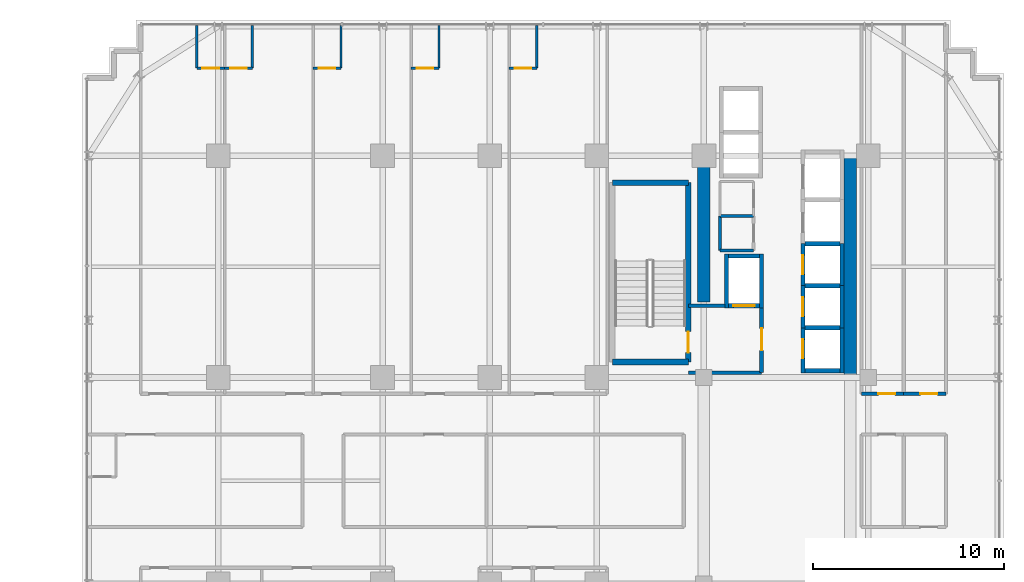
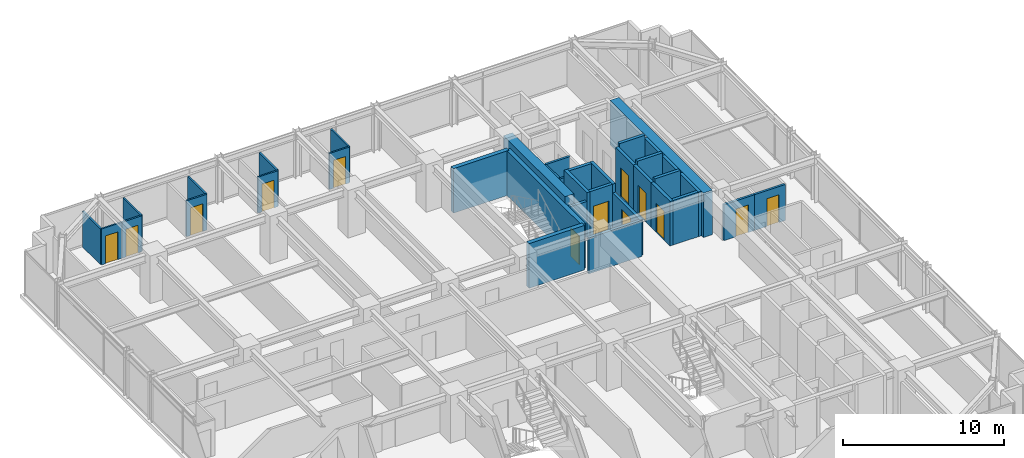
# One storey, part 27 of 31: 37 walls, 13 doors, 13 openings.
"""IFC4 building model written with IfcOpenShell, lengths in metres."""

from ifc_helpers import new_model, si_unit, direction, frame, frame_2d, origin, place, context, subcontext, project, spatial, rectangle, extrude, source, transform, mapped, material, layer, layer_set, type_object, element, fill, save


model = new_model("IFC4")

# Units and contexts
model_context = context("Model", 3, precision=1e-05, world=origin(), true_north=direction((0.0, 1.0)))
body_context = subcontext(model_context, "Body", "Model", "MODEL_VIEW")
ifc_project = project(units=[si_unit("LENGTHUNIT", "METRE"), si_unit("AREAUNIT", "SQUARE_METRE"), si_unit("VOLUMEUNIT", "CUBIC_METRE"), si_unit("PLANEANGLEUNIT", "RADIAN"), si_unit("MASSUNIT", "GRAM", prefix="KILO")], contexts=[model_context])

# Site, building, storey
site_placement = place(None, origin())
site = spatial("IfcSite", under=ifc_project, at=site_placement, CompositionType="ELEMENT")
building_placement = place(site_placement, origin())
building = spatial("IfcBuilding", under=site, at=building_placement, Name="Nahalor Promenade Grand Hotel", CompositionType="ELEMENT")
storey_placement = place(building_placement, frame((0.0, 0.0, 95.60009765625)))
storey = spatial("IfcBuildingStorey", under=building, at=storey_placement, Name="L23", CompositionType="ELEMENT", Elevation=95.60009765625)

# Walls
ifc_material_1 = material(Name="Concrete B-60 (C50/60)", Category="concrete")
ifc_layer_1 = layer(ifc_material_1, 0.64990234375)
ifc_layer_set_1 = layer_set([ifc_layer_1], Name="Concrete B-60 (C50/60)")
wall_type_1 = type_object("IfcWallType", Name="Wall-CoreShear-650", PredefinedType="SHEAR", material=ifc_layer_set_1)
shared_shape_1 = source(origin(), body_context, "Body", "SweptSolid", [
    extrude(rectangle(XDim=7.64990234375, YDim=0.64990234375, at=frame_2d((3.824951171875, 0.0))), origin(), (0.0, 0.0, 1.0), 3.3798828125),
])
wall_1_placement = place(storey_placement, frame((8.39990234375, 9.35009765625, 0.0), z_axis=(0.0, 0.0, 1.0), x_axis=(0.0, 1.0, 0.0)))
element("IfcWall", 1, at=wall_1_placement, inside=storey, type_object=wall_type_1, Name="CWALL-L23-NW", PredefinedType="SHEAR", context=body_context, shape_type="MappedRepresentation", body=[
    mapped(shared_shape_1, transform((0.0, 0.0, 0.0), scale=1.0)),
])
shared_shape_2 = source(origin(), body_context, "Body", "SweptSolid", [
    extrude(rectangle(XDim=11.60009765625, YDim=0.64990234375, at=frame_2d((5.800048828125, 0.0))), origin(), (0.0, 0.0, 1.0), 3.3798828125),
])
wall_2_placement = place(storey_placement, frame((16.050048828125, 5.39990234375, 0.0), z_axis=(0.0, 0.0, 1.0), x_axis=(0.0, 1.0, 0.0)))
element("IfcWall", 2, at=wall_2_placement, inside=storey, type_object=wall_type_1, Name="CWALL-L23-NE", PredefinedType="SHEAR", context=body_context, shape_type="MappedRepresentation", body=[
    mapped(shared_shape_2, transform((0.0, 0.0, 0.0), scale=1.0)),
])
ifc_material_2 = material(Name="Concrete B-50 (C40/50)", Category="concrete")
ifc_layer_2 = layer(ifc_material_2, 0.300048828125)
ifc_layer_set_2 = layer_set([ifc_layer_2], Name="Concrete B-50 (C40/50)")
wall_type_2 = type_object("IfcWallType", Name="Wall-ShaftShear-300", PredefinedType="SHEAR", material=ifc_layer_set_2)
shared_shape_3 = source(origin(), body_context, "Body", "SweptSolid", [
    extrude(rectangle(XDim=3.97998046875, YDim=0.300048828125, at=frame_2d((1.989990234375, 0.0))), origin(), (0.0, 0.0, 1.0), 3.3798828125),
])
for number, where, z_axis, x_axis, name in (
    (3, (3.610107421875, 6.2099609375, 0.0), (0.0, 0.0, 1.0), (1.0, 0.0, 0.0), "L23 Exit Stair ST1 Shaft Wall S"),
    (4, (3.610107421875, 15.590087890625, 0.0), (0.0, 0.0, 1.0), (1.0, 0.0, 0.0), "L23 Exit Stair ST1 Shaft Wall N"),
):
    element("IfcWall", number, at=place(storey_placement, frame(where, z_axis=z_axis, x_axis=x_axis)), inside=storey, type_object=wall_type_2, Name=name, PredefinedType="SHEAR", context=body_context, shape_type="MappedRepresentation", body=[
        mapped(shared_shape_3, transform((0.0, 0.0, 0.0), scale=1.0)),
    ])

# Wall, opening, door
shared_shape_4 = source(origin(), body_context, "Body", "SweptSolid", [
    extrude(rectangle(XDim=9.380126953125, YDim=0.300048828125, at=frame_2d((4.68994140625, 0.0))), origin(), (0.0, 0.0, 1.0), 3.3798828125),
])
wall_3_placement = place(storey_placement, frame((7.590087890625, 6.2099609375, 0.0), z_axis=(0.0, 0.0, 1.0), x_axis=(0.0, 1.0, 0.0)))
wall_3 = element("IfcWall", 5, at=wall_3_placement, inside=storey, type_object=wall_type_2, Name="L23 Exit Stair ST1 Shaft Wall E", PredefinedType="SHEAR", context=body_context, shape_type="MappedRepresentation", body=[
    mapped(shared_shape_4, transform((0.0, 0.0, 0.0), scale=1.0)),
])
opening_1_placement = place(wall_3_placement, frame((0.489990234375, 0.0, 0.0)))
opening_1 = element("IfcOpeningElement", 6, at=opening_1_placement, cuts=wall_3, Name="Opening D-ST1", PredefinedType="OPENING", context=body_context, shape_type="SweptSolid", body=[
    extrude(rectangle(XDim=1.10009765625, YDim=2.14990234375, at=frame_2d((0.550048828125, 1.074951171875))), frame((0.0, 0.159912109375, 0.0), z_axis=(0.0, -1.0, 0.0), x_axis=(1.0, 0.0, 0.0)), (0.0, 0.0, 1.0), 0.320068359375),
])
ifc_material_3 = material(Name="Steel S355JR", Category="steel")
door_type_1 = type_object("IfcDoorType", Name="Door-StairFire-1100", OperationType="NOTDEFINED", PredefinedType="DOOR", material=ifc_material_3)
shared_shape_5 = source(origin(), body_context, "Body", "SweptSolid", [
    extrude(rectangle(XDim=1.10009765625, YDim=2.14990234375, at=frame_2d((0.550048828125, 1.074951171875))), frame((0.0, 0.02490234375, 0.0), z_axis=(0.0, -1.0, 0.0), x_axis=(1.0, 0.0, 0.0)), (0.0, 0.0, 1.0), 0.050048828125),
])
door_1_placement = place(opening_1_placement, origin())
door_1 = element("IfcDoor", 7, at=door_1_placement, inside=storey, type_object=door_type_1, Name="DR-STAIR-ST1-L23", OperationType="SINGLE_SWING_RIGHT", OverallHeight=2.14990234375, OverallWidth=1.10009765625, PredefinedType="DOOR", context=body_context, shape_type="MappedRepresentation", body=[
    mapped(shared_shape_5, transform((0.0, 0.0, 0.0), scale=1.0)),
])
fill(opening_1, door_1)

# Walls
ifc_layer_3 = layer(ifc_material_2, 0.219970703125)
ifc_layer_set_3 = layer_set([ifc_layer_3], Name="Concrete B-50 (C40/50)")
wall_type_3 = type_object("IfcWallType", Name="Wall-LiftShaft-220", PredefinedType="SHEAR", material=ifc_layer_set_3)
shared_shape_6 = source(origin(), body_context, "Body", "SweptSolid", [
    extrude(rectangle(XDim=1.820068359375, YDim=0.219970703125, at=frame_2d((0.91015625, 0.0))), origin(), (0.0, 0.0, 1.0), 3.64990234375),
])
for number, where, z_axis, x_axis, name in (
    (8, (13.68994140625, 8.0, 0.0), (0.0, 0.0, 1.0), (1.0, 0.0, 0.0), "L23 Lift PL1 Hoistway Wall N"),
    (9, (13.68994140625, 10.199951171875, 0.0), (0.0, 0.0, 1.0), (1.0, 0.0, 0.0), "L23 Lift PL2 Hoistway Wall N"),
    (10, (13.68994140625, 12.39990234375, 0.0), (0.0, 0.0, 1.0), (1.0, 0.0, 0.0), "L23 Lift PL3 Hoistway Wall N"),
):
    element("IfcWall", number, at=place(storey_placement, frame(where, z_axis=z_axis, x_axis=x_axis)), inside=storey, type_object=wall_type_3, Name=name, PredefinedType="SHEAR", context=body_context, shape_type="MappedRepresentation", body=[
        mapped(shared_shape_6, transform((0.0, 0.0, 0.0), scale=1.0)),
    ])

# Wall, opening, door
shared_shape_7 = source(origin(), body_context, "Body", "SweptSolid", [
    extrude(rectangle(XDim=2.360107421875, YDim=0.219970703125, at=frame_2d((1.18017578125, 0.0))), origin(), (0.0, 0.0, 1.0), 3.3798828125),
])
wall_4_placement = place(storey_placement, frame((13.580078125, 5.639892578125, 0.0), z_axis=(0.0, 0.0, 1.0), x_axis=(0.0, 1.0, 0.0)))
wall_4 = element("IfcWall", 11, at=wall_4_placement, inside=storey, type_object=wall_type_3, Name="L23 Lift PL1 Hoistway Wall W", PredefinedType="SHEAR", context=body_context, shape_type="MappedRepresentation", body=[
    mapped(shared_shape_7, transform((0.0, 0.0, 0.0), scale=1.0)),
])
opening_2_placement = place(wall_4_placement, frame((0.760009765625, 0.0, 0.0)))
opening_2 = element("IfcOpeningElement", 12, at=opening_2_placement, cuts=wall_4, Name="Opening LD-01", PredefinedType="OPENING", context=body_context, shape_type="SweptSolid", body=[
    extrude(rectangle(XDim=1.0, YDim=2.199951171875, at=frame_2d((0.5, 1.10009765625))), frame((0.0, 0.119873046875, 0.0), z_axis=(0.0, -1.0, 0.0), x_axis=(1.0, 0.0, 0.0)), (0.0, 0.0, 1.0), 0.239990234375),
])
door_type_2 = type_object("IfcDoorType", Name="Door-LiftLanding-1000", OperationType="DOUBLE_DOOR_SLIDING", PredefinedType="DOOR", material=ifc_material_3)
shared_shape_8 = source(origin(), body_context, "Body", "SweptSolid", [
    extrude(rectangle(XDim=1.0, YDim=2.199951171875, at=frame_2d((0.5, 1.10009765625))), frame((0.0, 0.02490234375, 0.0), z_axis=(0.0, -1.0, 0.0), x_axis=(1.0, 0.0, 0.0)), (0.0, 0.0, 1.0), 0.050048828125),
])
door_2_placement = place(opening_2_placement, origin())
door_2 = element("IfcDoor", 13, at=door_2_placement, inside=storey, type_object=door_type_2, Name="DR-LIFT-PL1-L23", OperationType="DOUBLE_DOOR_SLIDING", OverallHeight=2.199951171875, OverallWidth=1.0, PredefinedType="DOOR", context=body_context, shape_type="MappedRepresentation", body=[
    mapped(shared_shape_8, transform((0.0, 0.0, 0.0), scale=1.0)),
])
fill(opening_2, door_2)

# Walls
wall_5_placement = place(storey_placement, frame((15.6201171875, 5.639892578125, 0.0), z_axis=(0.0, 0.0, 1.0), x_axis=(0.0, 1.0, 0.0)))
element("IfcWall", 14, at=wall_5_placement, inside=storey, type_object=wall_type_3, Name="L23 Lift PL1 Hoistway Wall E", PredefinedType="SHEAR", context=body_context, shape_type="MappedRepresentation", body=[
    mapped(shared_shape_7, transform((0.0, 0.0, 0.0), scale=1.0)),
])
shared_shape_9 = source(origin(), body_context, "Body", "SweptSolid", [
    extrude(rectangle(XDim=1.820068359375, YDim=0.219970703125, at=frame_2d((0.91015625, 0.0))), origin(), (0.0, 0.0, 1.0), 3.3798828125),
])
wall_6_placement = place(storey_placement, frame((13.68994140625, 5.75, 0.0), z_axis=(0.0, 0.0, 1.0), x_axis=(1.0, 0.0, 0.0)))
element("IfcWall", 15, at=wall_6_placement, inside=storey, type_object=wall_type_3, Name="L23 Lift PL1 Hoistway Wall S", PredefinedType="SHEAR", context=body_context, shape_type="MappedRepresentation", body=[
    mapped(shared_shape_9, transform((0.0, 0.0, 0.0), scale=1.0)),
])

# Wall, opening, door
shared_shape_10 = source(origin(), body_context, "Body", "SweptSolid", [
    extrude(rectangle(XDim=2.199951171875, YDim=0.219970703125, at=frame_2d((1.10009765625, 0.0))), origin(), (0.0, 0.0, 1.0), 3.3798828125),
])
wall_7_placement = place(storey_placement, frame((13.580078125, 8.0, 0.0), z_axis=(0.0, 0.0, 1.0), x_axis=(0.0, 1.0, 0.0)))
wall_7 = element("IfcWall", 16, at=wall_7_placement, inside=storey, type_object=wall_type_3, Name="L23 Lift PL2 Hoistway Wall W", PredefinedType="SHEAR", context=body_context, shape_type="MappedRepresentation", body=[
    mapped(shared_shape_10, transform((0.0, 0.0, 0.0), scale=1.0)),
])
opening_3_placement = place(wall_7_placement, frame((0.60009765625, 0.0, 0.0)))
opening_3 = element("IfcOpeningElement", 17, at=opening_3_placement, cuts=wall_7, Name="Opening LD-01", PredefinedType="OPENING", context=body_context, shape_type="SweptSolid", body=[
    extrude(rectangle(XDim=1.0, YDim=2.199951171875, at=frame_2d((0.5, 1.10009765625))), frame((0.0, 0.119873046875, 0.0), z_axis=(0.0, -1.0, 0.0), x_axis=(1.0, 0.0, 0.0)), (0.0, 0.0, 1.0), 0.239990234375),
])
door_3_placement = place(opening_3_placement, origin())
door_3 = element("IfcDoor", 18, at=door_3_placement, inside=storey, type_object=door_type_2, Name="DR-LIFT-PL2-L23", OperationType="DOUBLE_DOOR_SLIDING", OverallHeight=2.199951171875, OverallWidth=1.0, PredefinedType="DOOR", context=body_context, shape_type="MappedRepresentation", body=[
    mapped(shared_shape_8, transform((0.0, 0.0, 0.0), scale=1.0)),
])
fill(opening_3, door_3)

# Wall
wall_8_placement = place(storey_placement, frame((15.6201171875, 8.0, 0.0), z_axis=(0.0, 0.0, 1.0), x_axis=(0.0, 1.0, 0.0)))
element("IfcWall", 19, at=wall_8_placement, inside=storey, type_object=wall_type_3, Name="L23 Lift PL2 Hoistway Wall E", PredefinedType="SHEAR", context=body_context, shape_type="MappedRepresentation", body=[
    mapped(shared_shape_10, transform((0.0, 0.0, 0.0), scale=1.0)),
])

# Wall, opening, door
wall_9_placement = place(storey_placement, frame((13.580078125, 10.199951171875, 0.0), z_axis=(0.0, 0.0, 1.0), x_axis=(0.0, 1.0, 0.0)))
wall_9 = element("IfcWall", 20, at=wall_9_placement, inside=storey, type_object=wall_type_3, Name="L23 Lift PL3 Hoistway Wall W", PredefinedType="SHEAR", context=body_context, shape_type="MappedRepresentation", body=[
    mapped(shared_shape_10, transform((0.0, 0.0, 0.0), scale=1.0)),
])
opening_4_placement = place(wall_9_placement, frame((0.60009765625, 0.0, 0.0)))
opening_4 = element("IfcOpeningElement", 21, at=opening_4_placement, cuts=wall_9, Name="Opening LD-01", PredefinedType="OPENING", context=body_context, shape_type="SweptSolid", body=[
    extrude(rectangle(XDim=1.0, YDim=2.199951171875, at=frame_2d((0.5, 1.10009765625))), frame((0.0, 0.119873046875, 0.0), z_axis=(0.0, -1.0, 0.0), x_axis=(1.0, 0.0, 0.0)), (0.0, 0.0, 1.0), 0.239990234375),
])
door_4_placement = place(opening_4_placement, origin())
door_4 = element("IfcDoor", 22, at=door_4_placement, inside=storey, type_object=door_type_2, Name="DR-LIFT-PL3-L23", OperationType="DOUBLE_DOOR_SLIDING", OverallHeight=2.199951171875, OverallWidth=1.0, PredefinedType="DOOR", context=body_context, shape_type="MappedRepresentation", body=[
    mapped(shared_shape_8, transform((0.0, 0.0, 0.0), scale=1.0)),
])
fill(opening_4, door_4)

# Walls
wall_10_placement = place(storey_placement, frame((15.6201171875, 10.199951171875, 0.0), z_axis=(0.0, 0.0, 1.0), x_axis=(0.0, 1.0, 0.0)))
element("IfcWall", 23, at=wall_10_placement, inside=storey, type_object=wall_type_3, Name="L23 Lift PL3 Hoistway Wall E", PredefinedType="SHEAR", context=body_context, shape_type="MappedRepresentation", body=[
    mapped(shared_shape_10, transform((0.0, 0.0, 0.0), scale=1.0)),
])
shared_shape_11 = source(origin(), body_context, "Body", "SweptSolid", [
    extrude(rectangle(XDim=2.820068359375, YDim=0.219970703125, at=frame_2d((1.41015625, 0.0))), origin(), (0.0, 0.0, 1.0), 3.3798828125),
])
for number, where, z_axis, x_axis, name in (
    (24, (9.580078125, 9.0400390625, 0.0), (0.0, 0.0, 1.0), (0.0, 1.0, 0.0), "L23 Lift FL1 Hoistway Wall W"),
    (25, (11.419921875, 9.0400390625, 0.0), (0.0, 0.0, 1.0), (0.0, 1.0, 0.0), "L23 Lift FL1 Hoistway Wall E"),
):
    element("IfcWall", number, at=place(storey_placement, frame(where, z_axis=z_axis, x_axis=x_axis)), inside=storey, type_object=wall_type_3, Name=name, PredefinedType="SHEAR", context=body_context, shape_type="MappedRepresentation", body=[
        mapped(shared_shape_11, transform((0.0, 0.0, 0.0), scale=1.0)),
    ])

# Wall, opening, door
shared_shape_12 = source(origin(), body_context, "Body", "SweptSolid", [
    extrude(rectangle(XDim=1.6201171875, YDim=0.219970703125, at=frame_2d((0.81005859375, 0.0))), origin(), (0.0, 0.0, 1.0), 3.3798828125),
])
wall_11_placement = place(storey_placement, frame((9.68994140625, 9.14990234375, 0.0), z_axis=(0.0, 0.0, 1.0), x_axis=(1.0, 0.0, 0.0)))
wall_11 = element("IfcWall", 26, at=wall_11_placement, inside=storey, type_object=wall_type_3, Name="L23 Lift FL1 Hoistway Wall S", PredefinedType="SHEAR", context=body_context, shape_type="MappedRepresentation", body=[
    mapped(shared_shape_12, transform((0.0, 0.0, 0.0), scale=1.0)),
])
opening_5_placement = place(wall_11_placement, frame((0.260009765625, 0.0, 0.0)))
opening_5 = element("IfcOpeningElement", 27, at=opening_5_placement, cuts=wall_11, Name="Opening LD-02", PredefinedType="OPENING", context=body_context, shape_type="SweptSolid", body=[
    extrude(rectangle(XDim=1.10009765625, YDim=2.199951171875, at=frame_2d((0.550048828125, 1.10009765625))), frame((0.0, 0.119873046875, 0.0), z_axis=(0.0, -1.0, 0.0), x_axis=(1.0, 0.0, 0.0)), (0.0, 0.0, 1.0), 0.239990234375),
])
door_type_3 = type_object("IfcDoorType", Name="Door-LiftFF-1100", OperationType="DOUBLE_DOOR_SLIDING", PredefinedType="DOOR", material=ifc_material_3)
shared_shape_13 = source(origin(), body_context, "Body", "SweptSolid", [
    extrude(rectangle(XDim=1.10009765625, YDim=2.199951171875, at=frame_2d((0.550048828125, 1.10009765625))), frame((0.0, 0.02490234375, 0.0), z_axis=(0.0, -1.0, 0.0), x_axis=(1.0, 0.0, 0.0)), (0.0, 0.0, 1.0), 0.050048828125),
])
door_5_placement = place(opening_5_placement, frame((1.10009765625, 0.0, 0.0), z_axis=(0.0, 0.0, 1.0), x_axis=(-1.0, 0.0, 0.0)))
door_5 = element("IfcDoor", 28, at=door_5_placement, inside=storey, type_object=door_type_3, Name="DR-LIFT-FL1-L23", OperationType="DOUBLE_DOOR_SLIDING", OverallHeight=2.199951171875, OverallWidth=1.10009765625, PredefinedType="DOOR", context=body_context, shape_type="MappedRepresentation", body=[
    mapped(shared_shape_13, transform((0.0, 0.0, 0.0), scale=1.0)),
])
fill(opening_5, door_5)

# Walls
wall_12_placement = place(storey_placement, frame((9.68994140625, 11.75, 0.0), z_axis=(0.0, 0.0, 1.0), x_axis=(1.0, 0.0, 0.0)))
element("IfcWall", 29, at=wall_12_placement, inside=storey, type_object=wall_type_3, Name="L23 Lift FL1 Hoistway Wall N", PredefinedType="SHEAR", context=body_context, shape_type="MappedRepresentation", body=[
    mapped(shared_shape_12, transform((0.0, 0.0, 0.0), scale=1.0)),
])
ifc_material_4 = material(Name="Concrete B-40 (C32/40)", Category="concrete")
ifc_layer_4 = layer(ifc_material_4, 0.199951171875)
ifc_layer_set_4 = layer_set([ifc_layer_4], Name="Concrete B-40 (C32/40)")
wall_type_4 = type_object("IfcWallType", Name="Wall-PartFire-200", PredefinedType="PARTITIONING", material=ifc_layer_set_4)
shared_shape_14 = source(origin(), body_context, "Body", "SweptSolid", [
    extrude(rectangle(XDim=3.81982421875, YDim=0.199951171875, at=frame_2d((1.909912109375, 0.0))), origin(), (0.0, 0.0, 1.0), 2.719970703125),
])
wall_13_placement = place(storey_placement, frame((7.60009765625, 5.64990234375, 0.0), z_axis=(0.0, 0.0, 1.0), x_axis=(1.0, 0.0, 0.0)))
element("IfcWall", 30, at=wall_13_placement, inside=storey, type_object=wall_type_4, Name="W-L23-FF1-S", PredefinedType="PARTITIONING", context=body_context, shape_type="MappedRepresentation", body=[
    mapped(shared_shape_14, transform((0.0, 0.0, 0.0), scale=1.0)),
])
shared_shape_15 = source(origin(), body_context, "Body", "SweptSolid", [
    extrude(rectangle(XDim=1.89990234375, YDim=0.199951171875, at=frame_2d((0.949951171875, 0.0))), origin(), (0.0, 0.0, 1.0), 2.719970703125),
])
wall_14_placement = place(storey_placement, frame((7.60009765625, 9.14990234375, 0.0), z_axis=(0.0, 0.0, 1.0), x_axis=(1.0, 0.0, 0.0)))
element("IfcWall", 31, at=wall_14_placement, inside=storey, type_object=wall_type_4, Name="W-L23-FF1-N", PredefinedType="PARTITIONING", context=body_context, shape_type="MappedRepresentation", body=[
    mapped(shared_shape_15, transform((0.0, 0.0, 0.0), scale=1.0)),
])

# Wall, opening, door
shared_shape_16 = source(origin(), body_context, "Body", "SweptSolid", [
    extrude(rectangle(XDim=3.5, YDim=0.199951171875, at=frame_2d((1.75, 0.0))), origin(), (0.0, 0.0, 1.0), 2.719970703125),
])
wall_15_placement = place(storey_placement, frame((11.419921875, 5.64990234375, 0.0), z_axis=(0.0, 0.0, 1.0), x_axis=(0.0, 1.0, 0.0)))
wall_15 = element("IfcWall", 32, at=wall_15_placement, inside=storey, type_object=wall_type_4, Name="W-L23-FF1-E", PredefinedType="PARTITIONING", context=body_context, shape_type="MappedRepresentation", body=[
    mapped(shared_shape_16, transform((0.0, 0.0, 0.0), scale=1.0)),
])
opening_6_placement = place(wall_15_placement, frame((1.175048828125, 0.0, 0.0)))
opening_6 = element("IfcOpeningElement", 33, at=opening_6_placement, cuts=wall_15, Name="Opening D-FF1", PredefinedType="OPENING", context=body_context, shape_type="SweptSolid", body=[
    extrude(rectangle(XDim=1.14990234375, YDim=2.14990234375, at=frame_2d((0.574951171875, 1.074951171875))), frame((0.0, 0.10986328125, 0.0), z_axis=(0.0, -1.0, 0.0), x_axis=(1.0, 0.0, 0.0)), (0.0, 0.0, 1.0), 0.219970703125),
])
door_type_4 = type_object("IfcDoorType", Name="Door-FFLobby-1150", OperationType="NOTDEFINED", PredefinedType="DOOR", material=ifc_material_3)
shared_shape_17 = source(origin(), body_context, "Body", "SweptSolid", [
    extrude(rectangle(XDim=1.14990234375, YDim=2.14990234375, at=frame_2d((0.574951171875, 1.074951171875))), frame((0.0, 0.02490234375, 0.0), z_axis=(0.0, -1.0, 0.0), x_axis=(1.0, 0.0, 0.0)), (0.0, 0.0, 1.0), 0.050048828125),
])
door_6_placement = place(opening_6_placement, frame((1.14990234375, 0.0, 0.0), z_axis=(0.0, 0.0, 1.0), x_axis=(-1.0, 0.0, 0.0)))
door_6 = element("IfcDoor", 34, at=door_6_placement, inside=storey, type_object=door_type_4, Name="DR-L23-FFL1", OperationType="SINGLE_SWING_LEFT", OverallHeight=2.14990234375, OverallWidth=1.14990234375, PredefinedType="DOOR", context=body_context, shape_type="MappedRepresentation", body=[
    mapped(shared_shape_17, transform((0.0, 0.0, 0.0), scale=1.0)),
])
fill(opening_6, door_6)

# Walls
ifc_material_5 = material(Name="Acoustic Mineral Gypsum", Category="gypsum")
ifc_layer_5 = layer(ifc_material_5, 0.14990234375)
ifc_layer_set_5 = layer_set([ifc_layer_5], Name="Acoustic Mineral Gypsum")
wall_type_5 = type_object("IfcWallType", Name="Wall-PartService-150", PredefinedType="PARTITIONING", material=ifc_layer_set_5)
shared_shape_18 = source(origin(), body_context, "Body", "SweptSolid", [
    extrude(rectangle(XDim=1.75, YDim=0.14990234375, at=frame_2d((0.875, 0.0))), origin(), (0.0, 0.0, 1.0), 2.719970703125),
])
for number, where, z_axis, x_axis, name in (
    (35, (9.25, 12.050048828125, 0.0), (0.0, 0.0, 1.0), (1.0, 0.0, 0.0), "W-L23-CK2A-S"),
    (36, (9.25, 13.85009765625, 0.0), (0.0, 0.0, 1.0), (1.0, 0.0, 0.0), "W-L23-CK2A-N"),
):
    element("IfcWall", number, at=place(storey_placement, frame(where, z_axis=z_axis, x_axis=x_axis)), inside=storey, type_object=wall_type_5, Name=name, PredefinedType="PARTITIONING", context=body_context, shape_type="MappedRepresentation", body=[
        mapped(shared_shape_18, transform((0.0, 0.0, 0.0), scale=1.0)),
    ])
ifc_layer_6 = layer(ifc_material_5, 0.1201171875)
ifc_layer_set_6 = layer_set([ifc_layer_6], Name="Acoustic Mineral Gypsum")
wall_type_6 = type_object("IfcWallType", Name="Wall-PartBath-120", PredefinedType="PARTITIONING", material=ifc_layer_set_6)
shared_shape_19 = source(origin(), body_context, "Body", "SweptSolid", [
    extrude(rectangle(XDim=2.219970703125, YDim=0.1201171875, at=frame_2d((1.10986328125, 0.0))), origin(), (0.0, 0.0, 1.0), 2.719970703125),
])
for number, where, z_axis, x_axis, name in (
    (37, (-18.117919921875, 21.580078125, 0.0), (0.0, 0.0, 1.0), (0.0, 1.0, 0.0), "W-L23-N1-BV"),
    (38, (-15.218017578125, 21.580078125, 0.0), (0.0, 0.0, 1.0), (0.0, 1.0, 0.0), "W-L23-N2-BV"),
    (39, (-10.58203125, 21.580078125, 0.0), (0.0, 0.0, 1.0), (0.0, 1.0, 0.0), "W-L23-N3-BV"),
    (40, (-5.4580078125, 21.580078125, 0.0), (0.0, 0.0, 1.0), (0.0, 1.0, 0.0), "W-L23-N4-BV"),
    (41, (-0.333984375, 21.580078125, 0.0), (0.0, 0.0, 1.0), (0.0, 1.0, 0.0), "W-L23-N5-BV"),
):
    element("IfcWall", number, at=place(storey_placement, frame(where, z_axis=z_axis, x_axis=x_axis)), inside=storey, type_object=wall_type_6, Name=name, PredefinedType="PARTITIONING", context=body_context, shape_type="MappedRepresentation", body=[
        mapped(shared_shape_19, transform((0.0, 0.0, 0.0), scale=1.0)),
    ])

# Wall, opening, door
shared_shape_20 = source(origin(), body_context, "Body", "SweptSolid", [
    extrude(rectangle(XDim=1.449951171875, YDim=0.1201171875, at=frame_2d((0.72509765625, 0.0))), origin(), (0.0, 0.0, 1.0), 2.719970703125),
])
wall_16_placement = place(storey_placement, frame((-18.117919921875, 21.580078125, 0.0), z_axis=(0.0, 0.0, 1.0), x_axis=(1.0, 0.0, 0.0)))
wall_16 = element("IfcWall", 42, at=wall_16_placement, inside=storey, type_object=wall_type_6, Name="W-L23-N1-BH", PredefinedType="PARTITIONING", context=body_context, shape_type="MappedRepresentation", body=[
    mapped(shared_shape_20, transform((0.0, 0.0, 0.0), scale=1.0)),
])
opening_7_placement = place(wall_16_placement, frame((0.284912109375, 0.0, 0.0)))
opening_7 = element("IfcOpeningElement", 43, at=opening_7_placement, cuts=wall_16, Name="Opening D-03", PredefinedType="OPENING", context=body_context, shape_type="SweptSolid", body=[
    extrude(rectangle(XDim=0.8798828125, YDim=2.10009765625, at=frame_2d((0.43994140625, 1.050048828125))), frame((0.0, 0.070068359375, 0.0), z_axis=(0.0, -1.0, 0.0), x_axis=(1.0, 0.0, 0.0)), (0.0, 0.0, 1.0), 0.14013671875),
])
ifc_material_6 = material(Name="Fire-Rated Timber Composite", Category="wood")
door_type_5 = type_object("IfcDoorType", Name="Door-BathSwing-880", OperationType="NOTDEFINED", PredefinedType="DOOR", material=ifc_material_6)
shared_shape_21 = source(origin(), body_context, "Body", "SweptSolid", [
    extrude(rectangle(XDim=0.8798828125, YDim=2.10009765625, at=frame_2d((0.43994140625, 1.050048828125))), frame((0.0, 0.02490234375, 0.0), z_axis=(0.0, -1.0, 0.0), x_axis=(1.0, 0.0, 0.0)), (0.0, 0.0, 1.0), 0.050048828125),
])
door_7_placement = place(opening_7_placement, origin())
door_7 = element("IfcDoor", 44, at=door_7_placement, inside=storey, type_object=door_type_5, Name="DR-L23-N1-BATH", OperationType="SINGLE_SWING_LEFT", OverallHeight=2.10009765625, OverallWidth=0.8798828125, PredefinedType="DOOR", context=body_context, shape_type="MappedRepresentation", body=[
    mapped(shared_shape_21, transform((0.0, 0.0, 0.0), scale=1.0)),
])
fill(opening_7, door_7)

wall_17_placement = place(storey_placement, frame((-16.66796875, 21.580078125, 0.0), z_axis=(0.0, 0.0, 1.0), x_axis=(1.0, 0.0, 0.0)))
wall_17 = element("IfcWall", 45, at=wall_17_placement, inside=storey, type_object=wall_type_6, Name="W-L23-N2-BH", PredefinedType="PARTITIONING", context=body_context, shape_type="MappedRepresentation", body=[
    mapped(shared_shape_20, transform((0.0, 0.0, 0.0), scale=1.0)),
])
opening_8_placement = place(wall_17_placement, frame((0.284912109375, 0.0, 0.0)))
opening_8 = element("IfcOpeningElement", 46, at=opening_8_placement, cuts=wall_17, Name="Opening D-03", PredefinedType="OPENING", context=body_context, shape_type="SweptSolid", body=[
    extrude(rectangle(XDim=0.8798828125, YDim=2.10009765625, at=frame_2d((0.43994140625, 1.050048828125))), frame((0.0, 0.070068359375, 0.0), z_axis=(0.0, -1.0, 0.0), x_axis=(1.0, 0.0, 0.0)), (0.0, 0.0, 1.0), 0.14013671875),
])
door_8_placement = place(opening_8_placement, origin())
door_8 = element("IfcDoor", 47, at=door_8_placement, inside=storey, type_object=door_type_5, Name="DR-L23-N2-BATH", OperationType="SINGLE_SWING_LEFT", OverallHeight=2.10009765625, OverallWidth=0.8798828125, PredefinedType="DOOR", context=body_context, shape_type="MappedRepresentation", body=[
    mapped(shared_shape_21, transform((0.0, 0.0, 0.0), scale=1.0)),
])
fill(opening_8, door_8)

wall_18_placement = place(storey_placement, frame((-12.031982421875, 21.580078125, 0.0), z_axis=(0.0, 0.0, 1.0), x_axis=(1.0, 0.0, 0.0)))
wall_18 = element("IfcWall", 48, at=wall_18_placement, inside=storey, type_object=wall_type_6, Name="W-L23-N3-BH", PredefinedType="PARTITIONING", context=body_context, shape_type="MappedRepresentation", body=[
    mapped(shared_shape_20, transform((0.0, 0.0, 0.0), scale=1.0)),
])
opening_9_placement = place(wall_18_placement, frame((0.284912109375, 0.0, 0.0)))
opening_9 = element("IfcOpeningElement", 49, at=opening_9_placement, cuts=wall_18, Name="Opening D-03", PredefinedType="OPENING", context=body_context, shape_type="SweptSolid", body=[
    extrude(rectangle(XDim=0.8798828125, YDim=2.10009765625, at=frame_2d((0.43994140625, 1.050048828125))), frame((0.0, 0.070068359375, 0.0), z_axis=(0.0, -1.0, 0.0), x_axis=(1.0, 0.0, 0.0)), (0.0, 0.0, 1.0), 0.14013671875),
])
door_9_placement = place(opening_9_placement, origin())
door_9 = element("IfcDoor", 50, at=door_9_placement, inside=storey, type_object=door_type_5, Name="DR-L23-N3-BATH", OperationType="SINGLE_SWING_LEFT", OverallHeight=2.10009765625, OverallWidth=0.8798828125, PredefinedType="DOOR", context=body_context, shape_type="MappedRepresentation", body=[
    mapped(shared_shape_21, transform((0.0, 0.0, 0.0), scale=1.0)),
])
fill(opening_9, door_9)

wall_19_placement = place(storey_placement, frame((-6.907958984375, 21.580078125, 0.0), z_axis=(0.0, 0.0, 1.0), x_axis=(1.0, 0.0, 0.0)))
wall_19 = element("IfcWall", 51, at=wall_19_placement, inside=storey, type_object=wall_type_6, Name="W-L23-N4-BH", PredefinedType="PARTITIONING", context=body_context, shape_type="MappedRepresentation", body=[
    mapped(shared_shape_20, transform((0.0, 0.0, 0.0), scale=1.0)),
])
opening_10_placement = place(wall_19_placement, frame((0.284912109375, 0.0, 0.0)))
opening_10 = element("IfcOpeningElement", 52, at=opening_10_placement, cuts=wall_19, Name="Opening D-03", PredefinedType="OPENING", context=body_context, shape_type="SweptSolid", body=[
    extrude(rectangle(XDim=0.8798828125, YDim=2.10009765625, at=frame_2d((0.43994140625, 1.050048828125))), frame((0.0, 0.070068359375, 0.0), z_axis=(0.0, -1.0, 0.0), x_axis=(1.0, 0.0, 0.0)), (0.0, 0.0, 1.0), 0.14013671875),
])
door_10_placement = place(opening_10_placement, origin())
door_10 = element("IfcDoor", 53, at=door_10_placement, inside=storey, type_object=door_type_5, Name="DR-L23-N4-BATH", OperationType="SINGLE_SWING_LEFT", OverallHeight=2.10009765625, OverallWidth=0.8798828125, PredefinedType="DOOR", context=body_context, shape_type="MappedRepresentation", body=[
    mapped(shared_shape_21, transform((0.0, 0.0, 0.0), scale=1.0)),
])
fill(opening_10, door_10)

wall_20_placement = place(storey_placement, frame((-1.783935546875, 21.580078125, 0.0), z_axis=(0.0, 0.0, 1.0), x_axis=(1.0, 0.0, 0.0)))
wall_20 = element("IfcWall", 54, at=wall_20_placement, inside=storey, type_object=wall_type_6, Name="W-L23-N5-BH", PredefinedType="PARTITIONING", context=body_context, shape_type="MappedRepresentation", body=[
    mapped(shared_shape_20, transform((0.0, 0.0, 0.0), scale=1.0)),
])
opening_11_placement = place(wall_20_placement, frame((0.284912109375, 0.0, 0.0)))
opening_11 = element("IfcOpeningElement", 55, at=opening_11_placement, cuts=wall_20, Name="Opening D-03", PredefinedType="OPENING", context=body_context, shape_type="SweptSolid", body=[
    extrude(rectangle(XDim=0.8798828125, YDim=2.10009765625, at=frame_2d((0.43994140625, 1.050048828125))), frame((0.0, 0.070068359375, 0.0), z_axis=(0.0, -1.0, 0.0), x_axis=(1.0, 0.0, 0.0)), (0.0, 0.0, 1.0), 0.14013671875),
])
door_11_placement = place(opening_11_placement, origin())
door_11 = element("IfcDoor", 56, at=door_11_placement, inside=storey, type_object=door_type_5, Name="DR-L23-N5-BATH", OperationType="SINGLE_SWING_LEFT", OverallHeight=2.10009765625, OverallWidth=0.8798828125, PredefinedType="DOOR", context=body_context, shape_type="MappedRepresentation", body=[
    mapped(shared_shape_21, transform((0.0, 0.0, 0.0), scale=1.0)),
])
fill(opening_11, door_11)

ifc_layer_7 = layer(ifc_material_5, 0.159912109375)
ifc_layer_set_7 = layer_set([ifc_layer_7], Name="Acoustic Mineral Gypsum")
wall_type_7 = type_object("IfcWallType", Name="Wall-PartCorridor-160", PredefinedType="PARTITIONING", material=ifc_layer_set_7)
shared_shape_22 = source(origin(), body_context, "Body", "SweptSolid", [
    extrude(rectangle(XDim=2.205078125, YDim=0.159912109375, at=frame_2d((1.1025390625, 0.0))), origin(), (0.0, 0.0, 1.0), 2.719970703125),
])
wall_21_placement = place(storey_placement, frame((16.64990234375, 4.550048828125, 0.0), z_axis=(0.0, 0.0, 1.0), x_axis=(1.0, 0.0, 0.0)))
wall_21 = element("IfcWall", 57, at=wall_21_placement, inside=storey, type_object=wall_type_7, Name="W-L23-ENE1-S", PredefinedType="PARTITIONING", context=body_context, shape_type="MappedRepresentation", body=[
    mapped(shared_shape_22, transform((0.0, 0.0, 0.0), scale=1.0)),
])
opening_12_placement = place(wall_21_placement, frame((0.875, 0.0, 0.0)))
opening_12 = element("IfcOpeningElement", 58, at=opening_12_placement, cuts=wall_21, Name="Opening D-03", PredefinedType="OPENING", context=body_context, shape_type="SweptSolid", body=[
    extrude(rectangle(XDim=0.8798828125, YDim=2.10009765625, at=frame_2d((0.43994140625, 1.050048828125))), frame((0.0, 0.08984375, 0.0), z_axis=(0.0, -1.0, 0.0), x_axis=(1.0, 0.0, 0.0)), (0.0, 0.0, 1.0), 0.179931640625),
])
door_12_placement = place(opening_12_placement, origin())
door_12 = element("IfcDoor", 59, at=door_12_placement, inside=storey, type_object=door_type_5, Name="DR-L23-ENE1", OperationType="SINGLE_SWING_LEFT", OverallHeight=2.10009765625, OverallWidth=0.8798828125, PredefinedType="DOOR", context=body_context, shape_type="MappedRepresentation", body=[
    mapped(shared_shape_21, transform((0.0, 0.0, 0.0), scale=1.0)),
])
fill(opening_12, door_12)

wall_22_placement = place(storey_placement, frame((18.85498046875, 4.550048828125, 0.0), z_axis=(0.0, 0.0, 1.0), x_axis=(1.0, 0.0, 0.0)))
wall_22 = element("IfcWall", 60, at=wall_22_placement, inside=storey, type_object=wall_type_7, Name="W-L23-ENE2-S", PredefinedType="PARTITIONING", context=body_context, shape_type="MappedRepresentation", body=[
    mapped(shared_shape_22, transform((0.0, 0.0, 0.0), scale=1.0)),
])
opening_13_placement = place(wall_22_placement, frame((0.875, 0.0, 0.0)))
opening_13 = element("IfcOpeningElement", 61, at=opening_13_placement, cuts=wall_22, Name="Opening D-03", PredefinedType="OPENING", context=body_context, shape_type="SweptSolid", body=[
    extrude(rectangle(XDim=0.8798828125, YDim=2.10009765625, at=frame_2d((0.43994140625, 1.050048828125))), frame((0.0, 0.08984375, 0.0), z_axis=(0.0, -1.0, 0.0), x_axis=(1.0, 0.0, 0.0)), (0.0, 0.0, 1.0), 0.179931640625),
])
door_13_placement = place(opening_13_placement, origin())
door_13 = element("IfcDoor", 62, at=door_13_placement, inside=storey, type_object=door_type_5, Name="DR-L23-ENE2", OperationType="SINGLE_SWING_RIGHT", OverallHeight=2.10009765625, OverallWidth=0.8798828125, PredefinedType="DOOR", context=body_context, shape_type="MappedRepresentation", body=[
    mapped(shared_shape_21, transform((0.0, 0.0, 0.0), scale=1.0)),
])
fill(opening_13, door_13)

# Wall
shared_shape_23 = source(origin(), body_context, "Body", "SweptSolid", [
    extrude(rectangle(XDim=1.800048828125, YDim=0.14990234375, at=frame_2d((0.89990234375, 0.0))), origin(), (0.0, 0.0, 1.0), 2.719970703125),
])
wall_23_placement = place(storey_placement, frame((9.25, 12.050048828125, 0.0), z_axis=(0.0, 0.0, 1.0), x_axis=(0.0, 1.0, 0.0)))
element("IfcWall", 63, at=wall_23_placement, inside=storey, type_object=wall_type_5, Name="W-L23-CK2A-W", PredefinedType="PARTITIONING", context=body_context, shape_type="MappedRepresentation", body=[
    mapped(shared_shape_23, transform((0.0, 0.0, 0.0), scale=1.0)),
])

save(model, "model.ifc")
